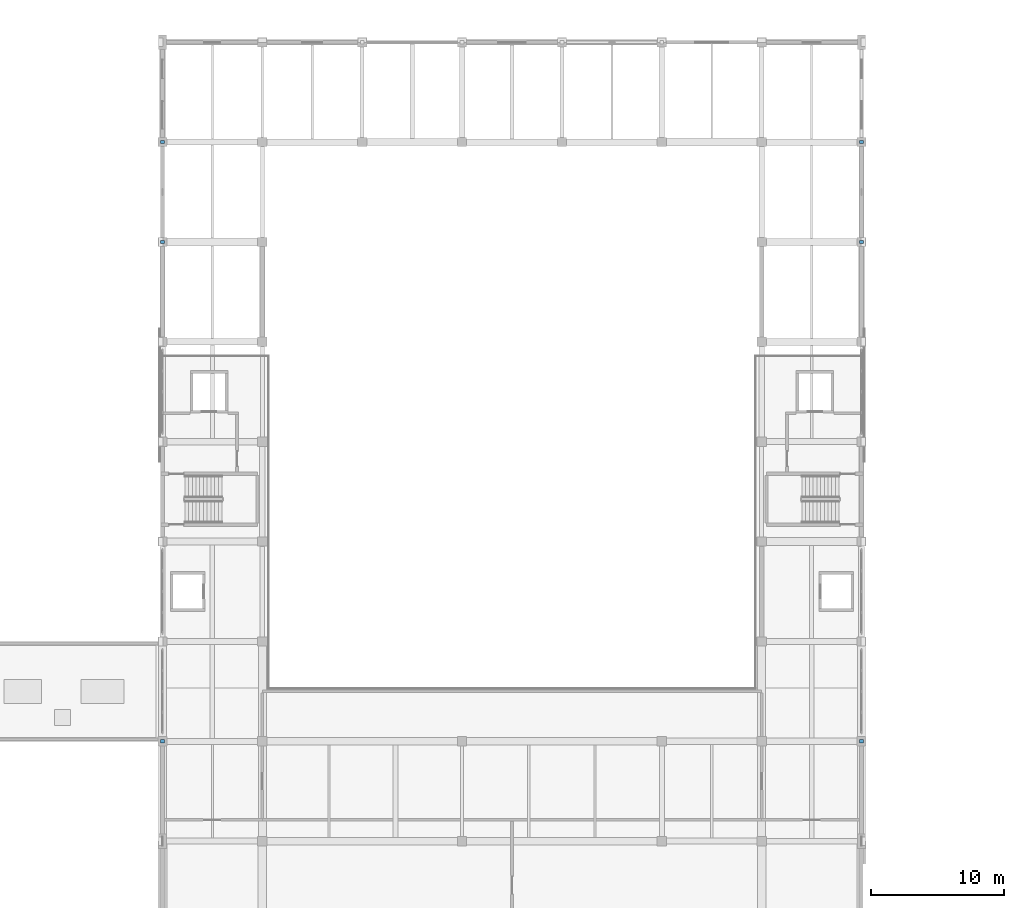
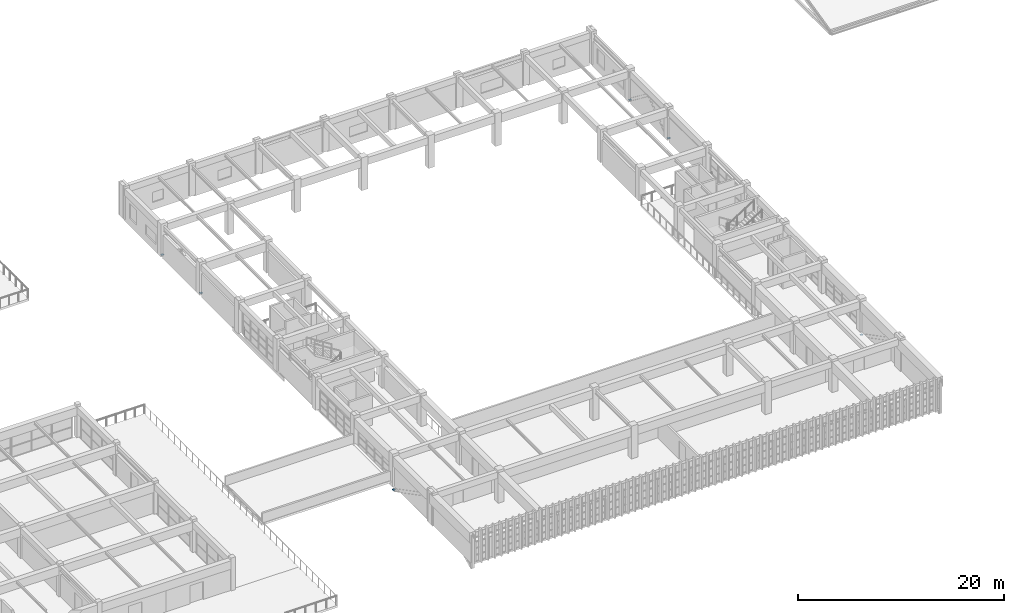
# One storey, part 68 of 82: 6 discrete accessories.
"""IFC4 building model written with IfcOpenShell, lengths in metres."""

from ifc_helpers import new_model, si_unit, direction, frame, origin, origin_2d, place, context, subcontext, project, spatial, rectangle, extrude, material, type_object, element, save


model = new_model("IFC4")

# Units and contexts
model_context = context("Model", 3, precision=1e-05, world=origin(), true_north=direction((0.0, 1.0)))
body_context = subcontext(model_context, "Body", "Model", "MODEL_VIEW")
ifc_project = project(units=[si_unit("LENGTHUNIT", "METRE"), si_unit("AREAUNIT", "SQUARE_METRE"), si_unit("VOLUMEUNIT", "CUBIC_METRE"), si_unit("PLANEANGLEUNIT", "RADIAN"), si_unit("MASSUNIT", "GRAM", prefix="KILO")], contexts=[model_context])

# Site, building, storey
site_placement = place(None, origin())
site = spatial("IfcSite", under=ifc_project, at=site_placement, CompositionType="ELEMENT")
building_placement = place(site_placement, origin())
building = spatial("IfcBuilding", under=site, at=building_placement, Name="Qasida Concert Hall", CompositionType="ELEMENT")
storey_placement = place(building_placement, frame((0.0, 0.0, 17.10009765625)))
storey = spatial("IfcBuildingStorey", under=building, at=storey_placement, Name="L04", CompositionType="ELEMENT", Elevation=17.10009765625)

# Discrete accessories
ifc_material = material(Name="Steel S355J2", Category="steel")
discrete_accessory_type = type_object("IfcDiscreteAccessoryType", Name="ACC-CONN-S355", PredefinedType="BRACKET", material=ifc_material)
for number, where, z_axis, x_axis, name in (
    (1, (52.5, 30.0, -0.612060546875), (0.0, 0.0, 1.0), (1.0, 0.0, 0.0), "Steel brace/strut end connection CN-0005"),
    (2, (105.0, 30.0, -0.612060546875), (0.0, 0.0, 1.0), (1.0, 0.0, 0.0), "Steel brace/strut end connection CN-0011"),
    (3, (52.5, 67.5, -0.011962890625), (0.0, 0.0, 1.0), (1.0, 0.0, 0.0), "Steel brace/strut end connection CN-0188"),
    (4, (52.5, 75.0, -0.011962890625), (0.0, 0.0, 1.0), (1.0, 0.0, 0.0), "Steel brace/strut end connection CN-0189"),
    (5, (105.0, 67.5, -0.011962890625), (0.0, 0.0, 1.0), (1.0, 0.0, 0.0), "Steel brace/strut end connection CN-0200"),
    (6, (105.0, 75.0, -0.011962890625), (0.0, 0.0, 1.0), (1.0, 0.0, 0.0), "Steel brace/strut end connection CN-0201"),
):
    element("IfcDiscreteAccessory", number, at=place(storey_placement, frame(where, z_axis=z_axis, x_axis=x_axis)), inside=storey, type_object=discrete_accessory_type, Name=name, PredefinedType="BRACKET", context=body_context, shape_type="SweptSolid", body=[
        extrude(rectangle(XDim=0.280029296875, YDim=0.239990234375, at=origin_2d()), origin(), (0.0, 0.0, 1.0), 0.02392578125),
    ])

save(model, "model.ifc")
